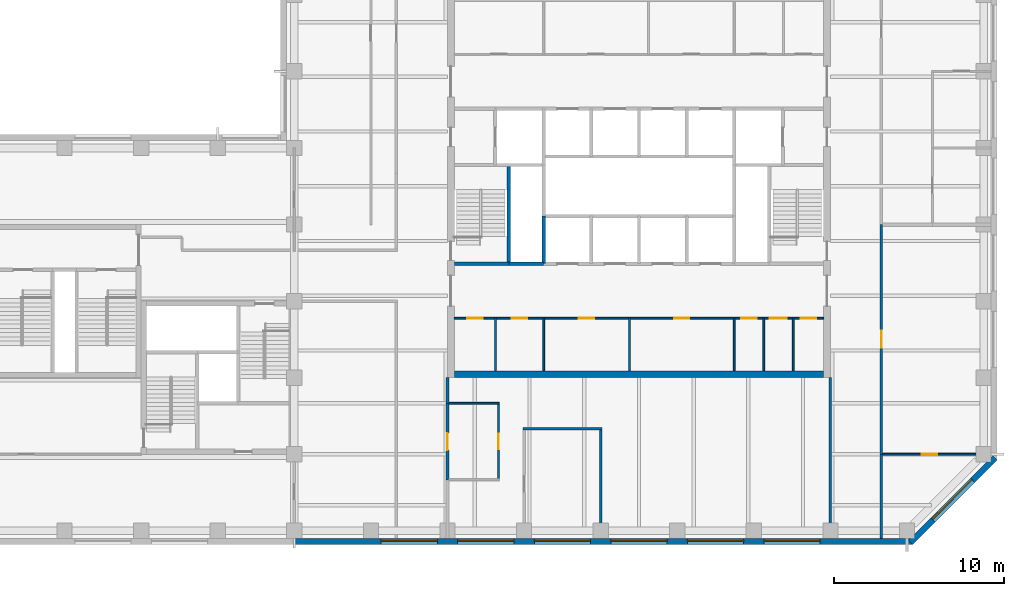
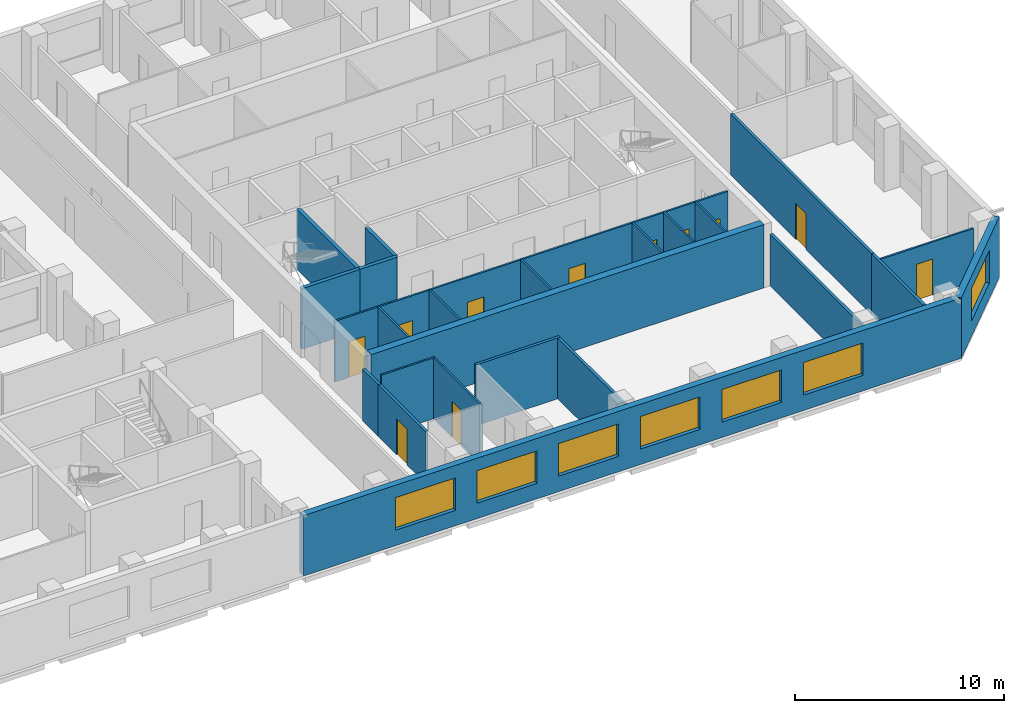
# One storey, part 4 of 9: 24 walls, 11 doors, 7 windows, 18 openings.
"""IFC4 building model written with IfcOpenShell, lengths in metres."""

from ifc_helpers import new_model, si_unit, direction, frame, frame_2d, origin, place, context, subcontext, project, spatial, rectangle, extrude, material, layer, layer_set, constituent, constituent_set, type_object, element, fill, save


model = new_model("IFC4")

# Units and contexts
model_context = context("Model", 3, precision=1e-05, world=origin(), true_north=direction((0.0, 1.0)))
body_context = subcontext(model_context, "Body", "Model", "MODEL_VIEW")
ifc_project = project(units=[si_unit("LENGTHUNIT", "METRE"), si_unit("AREAUNIT", "SQUARE_METRE"), si_unit("VOLUMEUNIT", "CUBIC_METRE"), si_unit("PLANEANGLEUNIT", "RADIAN"), si_unit("MASSUNIT", "GRAM", prefix="KILO")], contexts=[model_context])

# Site, building, storey
site_placement = place(None, origin())
site = spatial("IfcSite", under=ifc_project, at=site_placement, CompositionType="ELEMENT")
building_placement = place(site_placement, origin())
building = spatial("IfcBuilding", under=site, at=building_placement, Name="Quoin Convention Tower", CompositionType="ELEMENT")
storey_placement = place(building_placement, frame((0.0, 0.0, 155.10009765625)))
storey = spatial("IfcBuildingStorey", under=building, at=storey_placement, Name="L40", CompositionType="ELEMENT", Elevation=155.10009765625)

# Walls
ifc_material_1 = material(Name="Plasterboard")
ifc_layer_1 = layer(ifc_material_1, 0.012451171875, Name="Finish")
ifc_material_2 = material(Name="Steel stud framing", Category="steel")
ifc_layer_2 = layer(ifc_material_2, 0.125, Name="Structure")
ifc_layer_3 = layer(ifc_material_1, 0.012451171875, Name="Finish")
ifc_layer_set_1 = layer_set([ifc_layer_1, ifc_layer_2, ifc_layer_3], Name="Steel stud framing")
wall_type_1 = type_object("IfcWallType", Name="Acoustic partition 150", PredefinedType="PARTITIONING", material=ifc_layer_set_1)
wall_1_placement = place(storey_placement, frame((49.425048828125, 46.5, 0.0), z_axis=(0.0, 0.0, 1.0), x_axis=(1.0, 0.0, 0.0)))
element("IfcWall", 1, at=wall_1_placement, inside=storey, type_object=wall_type_1, Name="pw-L40-006", PredefinedType="PARTITIONING", context=body_context, shape_type="SweptSolid", body=[
    extrude(rectangle(XDim=4.64990234375, YDim=0.14990234375, at=frame_2d((2.324951171875, 0.0))), origin(), (0.0, 0.0, 1.0), 3.5498046875),
])
wall_2_placement = place(storey_placement, frame((54.0, 40.050048828125, 0.0), z_axis=(0.0, 0.0, 1.0), x_axis=(0.0, 1.0, 0.0)))
element("IfcWall", 2, at=wall_2_placement, inside=storey, type_object=wall_type_1, Name="pw-L40-033", PredefinedType="PARTITIONING", context=body_context, shape_type="SweptSolid", body=[
    extrude(rectangle(XDim=6.375, YDim=0.14990234375, at=frame_2d((3.1875, 0.0))), origin(), (0.0, 0.0, 1.0), 3.5498046875),
])

# Wall, openings, windows
ifc_material_3 = material(Name="Brick masonry", Category="masonry")
ifc_layer_4 = layer(ifc_material_3, 0.35009765625)
ifc_layer_set_2 = layer_set([ifc_layer_4], Name="Brick masonry")
wall_type_2 = type_object("IfcWallType", Name="Brick facade wall", PredefinedType="STANDARD", material=ifc_layer_set_2)
wall_3_placement = place(storey_placement, frame((36.0, 39.875, 0.0), z_axis=(0.0, 0.0, 1.0), x_axis=(1.0, 0.0, 0.0)))
wall_3 = element("IfcWall", 3, at=wall_3_placement, inside=storey, type_object=wall_type_2, Name="fw-L40-36000_40500", PredefinedType="STANDARD", context=body_context, shape_type="SweptSolid", body=[
    extrude(rectangle(XDim=36.331298828125, YDim=0.35009765625, at=frame_2d((18.16552734375, 0.0))), origin(), (0.0, 0.0, 1.0), 3.52490234375),
])
opening_1_placement = place(wall_3_placement, frame((5.10009765625, 0.0, 0.89990234375)))
opening_1 = element("IfcOpeningElement", 4, at=opening_1_placement, cuts=wall_3, Name="Opening W-02", PredefinedType="OPENING", context=body_context, shape_type="SweptSolid", body=[
    extrude(rectangle(XDim=3.300048828125, YDim=1.89990234375, at=frame_2d((1.64990234375, 0.949951171875))), frame((0.0, 0.18505859375, 0.0), z_axis=(0.0, -1.0, 0.0), x_axis=(1.0, 0.0, 0.0)), (0.0, 0.0, 1.0), 0.3701171875),
])
opening_2_placement = place(wall_3_placement, frame((9.60009765625, 0.0, 0.89990234375)))
opening_2 = element("IfcOpeningElement", 5, at=opening_2_placement, cuts=wall_3, Name="Opening W-02", PredefinedType="OPENING", context=body_context, shape_type="SweptSolid", body=[
    extrude(rectangle(XDim=3.300048828125, YDim=1.89990234375, at=frame_2d((1.64990234375, 0.949951171875))), frame((0.0, 0.18505859375, 0.0), z_axis=(0.0, -1.0, 0.0), x_axis=(1.0, 0.0, 0.0)), (0.0, 0.0, 1.0), 0.3701171875),
])
opening_3_placement = place(wall_3_placement, frame((14.10009765625, 0.0, 0.89990234375)))
opening_3 = element("IfcOpeningElement", 6, at=opening_3_placement, cuts=wall_3, Name="Opening W-02", PredefinedType="OPENING", context=body_context, shape_type="SweptSolid", body=[
    extrude(rectangle(XDim=3.300048828125, YDim=1.89990234375, at=frame_2d((1.64990234375, 0.949951171875))), frame((0.0, 0.18505859375, 0.0), z_axis=(0.0, -1.0, 0.0), x_axis=(1.0, 0.0, 0.0)), (0.0, 0.0, 1.0), 0.3701171875),
])
opening_4_placement = place(wall_3_placement, frame((18.60009765625, 0.0, 0.89990234375)))
opening_4 = element("IfcOpeningElement", 7, at=opening_4_placement, cuts=wall_3, Name="Opening W-02", PredefinedType="OPENING", context=body_context, shape_type="SweptSolid", body=[
    extrude(rectangle(XDim=3.300048828125, YDim=1.89990234375, at=frame_2d((1.64990234375, 0.949951171875))), frame((0.0, 0.18505859375, 0.0), z_axis=(0.0, -1.0, 0.0), x_axis=(1.0, 0.0, 0.0)), (0.0, 0.0, 1.0), 0.3701171875),
])
opening_5_placement = place(wall_3_placement, frame((23.10009765625, 0.0, 0.89990234375)))
opening_5 = element("IfcOpeningElement", 8, at=opening_5_placement, cuts=wall_3, Name="Opening W-02", PredefinedType="OPENING", context=body_context, shape_type="SweptSolid", body=[
    extrude(rectangle(XDim=3.300048828125, YDim=1.89990234375, at=frame_2d((1.64990234375, 0.949951171875))), frame((0.0, 0.18505859375, 0.0), z_axis=(0.0, -1.0, 0.0), x_axis=(1.0, 0.0, 0.0)), (0.0, 0.0, 1.0), 0.3701171875),
])
opening_6_placement = place(wall_3_placement, frame((27.60009765625, 0.0, 0.89990234375)))
opening_6 = element("IfcOpeningElement", 9, at=opening_6_placement, cuts=wall_3, Name="Opening W-02", PredefinedType="OPENING", context=body_context, shape_type="SweptSolid", body=[
    extrude(rectangle(XDim=3.300048828125, YDim=1.89990234375, at=frame_2d((1.64990234375, 0.949951171875))), frame((0.0, 0.18505859375, 0.0), z_axis=(0.0, -1.0, 0.0), x_axis=(1.0, 0.0, 0.0)), (0.0, 0.0, 1.0), 0.3701171875),
])
ifc_material_4 = material(Name="Aluminium", Category="aluminium")
ifc_constituent_1 = constituent(ifc_material_4, Name="Frame")
ifc_material_5 = material(Name="Insulated glass", Category="glass")
ifc_constituent_2 = constituent(ifc_material_5, Name="Glazing")
ifc_constituent_set = constituent_set(constituents=[ifc_constituent_1, ifc_constituent_2], Name="Aluminium")
window_type = type_object("IfcWindowType", Name="Office window", PartitioningType="DOUBLE_PANEL_VERTICAL", PredefinedType="WINDOW", material=ifc_constituent_set)
window_1_placement = place(opening_1_placement, origin())
window_1 = element("IfcWindow", 10, at=window_1_placement, inside=storey, type_object=window_type, Name="win-L40-42750_39875", OverallHeight=1.89990234375, OverallWidth=3.300048828125, PartitioningType="SINGLE_PANEL", PredefinedType="WINDOW", context=body_context, shape_type="SweptSolid", body=[
    extrude(rectangle(XDim=3.300048828125, YDim=1.89990234375, at=frame_2d((1.64990234375, 0.949951171875))), frame((0.0, 0.0849609375, 0.0), z_axis=(0.0, -1.0, 0.0), x_axis=(1.0, 0.0, 0.0)), (0.0, 0.0, 1.0), 0.06005859375),
])
fill(opening_1, window_1)
window_2_placement = place(opening_2_placement, origin())
window_2 = element("IfcWindow", 11, at=window_2_placement, inside=storey, type_object=window_type, Name="win-L40-47250_39875", OverallHeight=1.89990234375, OverallWidth=3.300048828125, PartitioningType="SINGLE_PANEL", PredefinedType="WINDOW", context=body_context, shape_type="SweptSolid", body=[
    extrude(rectangle(XDim=3.300048828125, YDim=1.89990234375, at=frame_2d((1.64990234375, 0.949951171875))), frame((0.0, 0.0849609375, 0.0), z_axis=(0.0, -1.0, 0.0), x_axis=(1.0, 0.0, 0.0)), (0.0, 0.0, 1.0), 0.06005859375),
])
fill(opening_2, window_2)
window_3_placement = place(opening_3_placement, origin())
window_3 = element("IfcWindow", 12, at=window_3_placement, inside=storey, type_object=window_type, Name="win-L40-51750_39875", OverallHeight=1.89990234375, OverallWidth=3.300048828125, PartitioningType="SINGLE_PANEL", PredefinedType="WINDOW", context=body_context, shape_type="SweptSolid", body=[
    extrude(rectangle(XDim=3.300048828125, YDim=1.89990234375, at=frame_2d((1.64990234375, 0.949951171875))), frame((0.0, 0.0849609375, 0.0), z_axis=(0.0, -1.0, 0.0), x_axis=(1.0, 0.0, 0.0)), (0.0, 0.0, 1.0), 0.06005859375),
])
fill(opening_3, window_3)
window_4_placement = place(opening_4_placement, origin())
window_4 = element("IfcWindow", 13, at=window_4_placement, inside=storey, type_object=window_type, Name="win-L40-56250_39875", OverallHeight=1.89990234375, OverallWidth=3.300048828125, PartitioningType="SINGLE_PANEL", PredefinedType="WINDOW", context=body_context, shape_type="SweptSolid", body=[
    extrude(rectangle(XDim=3.300048828125, YDim=1.89990234375, at=frame_2d((1.64990234375, 0.949951171875))), frame((0.0, 0.0849609375, 0.0), z_axis=(0.0, -1.0, 0.0), x_axis=(1.0, 0.0, 0.0)), (0.0, 0.0, 1.0), 0.06005859375),
])
fill(opening_4, window_4)
window_5_placement = place(opening_5_placement, origin())
window_5 = element("IfcWindow", 14, at=window_5_placement, inside=storey, type_object=window_type, Name="win-L40-60750_39875", OverallHeight=1.89990234375, OverallWidth=3.300048828125, PartitioningType="SINGLE_PANEL", PredefinedType="WINDOW", context=body_context, shape_type="SweptSolid", body=[
    extrude(rectangle(XDim=3.300048828125, YDim=1.89990234375, at=frame_2d((1.64990234375, 0.949951171875))), frame((0.0, 0.0849609375, 0.0), z_axis=(0.0, -1.0, 0.0), x_axis=(1.0, 0.0, 0.0)), (0.0, 0.0, 1.0), 0.06005859375),
])
fill(opening_5, window_5)
window_6_placement = place(opening_6_placement, origin())
window_6 = element("IfcWindow", 15, at=window_6_placement, inside=storey, type_object=window_type, Name="win-L40-65250_39875", OverallHeight=1.89990234375, OverallWidth=3.300048828125, PartitioningType="SINGLE_PANEL", PredefinedType="WINDOW", context=body_context, shape_type="SweptSolid", body=[
    extrude(rectangle(XDim=3.300048828125, YDim=1.89990234375, at=frame_2d((1.64990234375, 0.949951171875))), frame((0.0, 0.0849609375, 0.0), z_axis=(0.0, -1.0, 0.0), x_axis=(1.0, 0.0, 0.0)), (0.0, 0.0, 1.0), 0.06005859375),
])
fill(opening_6, window_6)

# Wall, opening, window
wall_4_placement = place(storey_placement, frame((72.20751953125, 39.82373046875, 0.0), z_axis=(0.0, 0.0, 1.0), x_axis=(0.707106781187, 0.707106781187, 0.0)))
wall_4 = element("IfcWall", 16, at=wall_4_placement, inside=storey, type_object=wall_type_2, Name="fw-L40-72000_40500", PredefinedType="STANDARD", context=body_context, shape_type="SweptSolid", body=[
    extrude(rectangle(XDim=7.02685546875, YDim=0.35009765625, at=frame_2d((3.513427734375, 0.0))), origin(), (0.0, 0.0, 1.0), 3.52490234375),
])
opening_7_placement = place(wall_4_placement, frame((1.86328125, 0.0, 0.89990234375)))
opening_7 = element("IfcOpeningElement", 17, at=opening_7_placement, cuts=wall_4, Name="Opening W-02", PredefinedType="OPENING", context=body_context, shape_type="SweptSolid", body=[
    extrude(rectangle(XDim=3.300048828125, YDim=1.89990234375, at=frame_2d((1.64990234375, 0.949951171875))), frame((0.0, 0.18505859375, 0.0), z_axis=(0.0, -1.0, 0.0), x_axis=(1.0, 0.0, 0.0)), (0.0, 0.0, 1.0), 0.3701171875),
])
window_7_placement = place(opening_7_placement, origin())
window_7 = element("IfcWindow", 18, at=window_7_placement, inside=storey, type_object=window_type, Name="win-L40-74692_42308", OverallHeight=1.89990234375, OverallWidth=3.300048828125, PartitioningType="SINGLE_PANEL", PredefinedType="WINDOW", context=body_context, shape_type="SweptSolid", body=[
    extrude(rectangle(XDim=3.300048828125, YDim=1.89990234375, at=frame_2d((1.64990234375, 0.949951171875))), frame((0.0, 0.0849609375, 0.0), z_axis=(0.0, -1.0, 0.0), x_axis=(1.0, 0.0, 0.0)), (0.0, 0.0, 1.0), 0.06005859375),
])
fill(opening_7, window_7)

# Wall, openings, doors
ifc_layer_5 = layer(ifc_material_1, 0.012451171875, Name="Finish")
ifc_layer_6 = layer(ifc_material_2, 0.074951171875, Name="Structure")
ifc_layer_7 = layer(ifc_material_1, 0.012451171875, Name="Finish")
ifc_layer_set_3 = layer_set([ifc_layer_5, ifc_layer_6, ifc_layer_7], Name="Steel stud framing")
wall_type_3 = type_object("IfcWallType", Name="Core partition wall", PredefinedType="PARTITIONING", material=ifc_layer_set_3)
wall_5_placement = place(storey_placement, frame((45.39990234375, 53.0, 0.0), z_axis=(0.0, 0.0, 1.0), x_axis=(1.0, 0.0, 0.0)))
wall_5 = element("IfcWall", 19, at=wall_5_placement, inside=storey, type_object=wall_type_3, Name="cr-C1-L40-h3500_400", PredefinedType="PARTITIONING", context=body_context, shape_type="SweptSolid", body=[
    extrude(rectangle(XDim=21.7001953125, YDim=0.10009765625, at=frame_2d((10.85009765625, 0.0))), origin(), (0.0, 0.0, 1.0), 3.5498046875),
])
opening_8_placement = place(wall_5_placement, frame((20.357421875, 0.0, 0.0)))
opening_8 = element("IfcOpeningElement", 20, at=opening_8_placement, cuts=wall_5, Name="Opening DCV2-32", PredefinedType="OPENING", context=body_context, shape_type="SweptSolid", body=[
    extrude(rectangle(XDim=0.89990234375, YDim=2.10009765625, at=frame_2d((0.449951171875, 1.050048828125))), frame((0.0, 0.06005859375, 0.0), z_axis=(0.0, -1.0, 0.0), x_axis=(1.0, 0.0, 0.0)), (0.0, 0.0, 1.0), 0.1201171875),
])
opening_9_placement = place(wall_5_placement, frame((18.548828125, 0.0, 0.0)))
opening_9 = element("IfcOpeningElement", 21, at=opening_9_placement, cuts=wall_5, Name="Opening DCV2-31", PredefinedType="OPENING", context=body_context, shape_type="SweptSolid", body=[
    extrude(rectangle(XDim=1.0, YDim=2.10009765625, at=frame_2d((0.5, 1.050048828125))), frame((0.0, 0.06005859375, 0.0), z_axis=(0.0, -1.0, 0.0), x_axis=(1.0, 0.0, 0.0)), (0.0, 0.0, 1.0), 0.1201171875),
])
opening_10_placement = place(wall_5_placement, frame((16.8662109375, 0.0, 0.0)))
opening_10 = element("IfcOpeningElement", 22, at=opening_10_placement, cuts=wall_5, Name="Opening DCV2-30", PredefinedType="OPENING", context=body_context, shape_type="SweptSolid", body=[
    extrude(rectangle(XDim=0.89990234375, YDim=2.10009765625, at=frame_2d((0.449951171875, 1.050048828125))), frame((0.0, 0.06005859375, 0.0), z_axis=(0.0, -1.0, 0.0), x_axis=(1.0, 0.0, 0.0)), (0.0, 0.0, 1.0), 0.1201171875),
])
opening_11_placement = place(wall_5_placement, frame((0.757568359375, 0.0, 0.0)))
opening_11 = element("IfcOpeningElement", 23, at=opening_11_placement, cuts=wall_5, Name="Opening DCV2-22", PredefinedType="OPENING", context=body_context, shape_type="SweptSolid", body=[
    extrude(rectangle(XDim=0.89990234375, YDim=2.10009765625, at=frame_2d((0.449951171875, 1.050048828125))), frame((0.0, 0.06005859375, 0.0), z_axis=(0.0, -1.0, 0.0), x_axis=(1.0, 0.0, 0.0)), (0.0, 0.0, 1.0), 0.1201171875),
])
opening_12_placement = place(wall_5_placement, frame((3.382568359375, 0.0, 0.0)))
opening_12 = element("IfcOpeningElement", 24, at=opening_12_placement, cuts=wall_5, Name="Opening DCV2-23", PredefinedType="OPENING", context=body_context, shape_type="SweptSolid", body=[
    extrude(rectangle(XDim=0.89990234375, YDim=2.10009765625, at=frame_2d((0.449951171875, 1.050048828125))), frame((0.0, 0.06005859375, 0.0), z_axis=(0.0, -1.0, 0.0), x_axis=(1.0, 0.0, 0.0)), (0.0, 0.0, 1.0), 0.1201171875),
])
opening_13_placement = place(wall_5_placement, frame((7.320068359375, 0.0, 0.0)))
opening_13 = element("IfcOpeningElement", 25, at=opening_13_placement, cuts=wall_5, Name="Opening DCV2-25", PredefinedType="OPENING", context=body_context, shape_type="SweptSolid", body=[
    extrude(rectangle(XDim=0.89990234375, YDim=2.10009765625, at=frame_2d((0.449951171875, 1.050048828125))), frame((0.0, 0.06005859375, 0.0), z_axis=(0.0, -1.0, 0.0), x_axis=(1.0, 0.0, 0.0)), (0.0, 0.0, 1.0), 0.1201171875),
])
opening_14_placement = place(wall_5_placement, frame((12.919921875, 0.0, 0.0)))
opening_14 = element("IfcOpeningElement", 26, at=opening_14_placement, cuts=wall_5, Name="Opening DCV2-28", PredefinedType="OPENING", context=body_context, shape_type="SweptSolid", body=[
    extrude(rectangle(XDim=0.89990234375, YDim=2.10009765625, at=frame_2d((0.449951171875, 1.050048828125))), frame((0.0, 0.06005859375, 0.0), z_axis=(0.0, -1.0, 0.0), x_axis=(1.0, 0.0, 0.0)), (0.0, 0.0, 1.0), 0.1201171875),
])
ifc_material_6 = material(Name="Steel door leaf", Category="steel")
door_type_1 = type_object("IfcDoorType", Name="Core room door 1000 x 2100", OperationType="SINGLE_SWING_LEFT", PredefinedType="DOOR", material=ifc_material_6)
door_1_placement = place(opening_9_placement, frame((1.0, 0.0, 0.0), z_axis=(0.0, 0.0, 1.0), x_axis=(-1.0, 0.0, 0.0)))
door_1 = element("IfcDoor", 27, at=door_1_placement, inside=storey, type_object=door_type_1, Name="cd-C1-L40-CSE1-lobA-CD4011", OperationType="SINGLE_SWING_LEFT", OverallHeight=2.10009765625, OverallWidth=1.0, PredefinedType="DOOR", context=body_context, shape_type="SweptSolid", body=[
    extrude(rectangle(XDim=1.0, YDim=2.10009765625, at=frame_2d((0.5, 1.050048828125))), frame((0.0, 0.02490234375, 0.0), z_axis=(0.0, -1.0, 0.0), x_axis=(1.0, 0.0, 0.0)), (0.0, 0.0, 1.0), 0.050048828125),
])
fill(opening_9, door_1)
door_type_2 = type_object("IfcDoorType", Name="Core room door 900 x 2100", OperationType="SINGLE_SWING_LEFT", PredefinedType="DOOR", material=ifc_material_6)
door_2_placement = place(opening_8_placement, frame((0.89990234375, 0.0, 0.0), z_axis=(0.0, 0.0, 1.0), x_axis=(-1.0, 0.0, 0.0)))
door_2 = element("IfcDoor", 28, at=door_2_placement, inside=storey, type_object=door_type_2, Name="cd-C1-L40-CSE0-lobA-CD4010", OperationType="SINGLE_SWING_LEFT", OverallHeight=2.10009765625, OverallWidth=0.89990234375, PredefinedType="DOOR", context=body_context, shape_type="SweptSolid", body=[
    extrude(rectangle(XDim=0.89990234375, YDim=2.10009765625, at=frame_2d((0.449951171875, 1.050048828125))), frame((0.0, 0.02490234375, 0.0), z_axis=(0.0, -1.0, 0.0), x_axis=(1.0, 0.0, 0.0)), (0.0, 0.0, 1.0), 0.050048828125),
])
fill(opening_8, door_2)
door_3_placement = place(opening_10_placement, frame((0.89990234375, 0.0, 0.0), z_axis=(0.0, 0.0, 1.0), x_axis=(-1.0, 0.0, 0.0)))
door_3 = element("IfcDoor", 29, at=door_3_placement, inside=storey, type_object=door_type_2, Name="cd-C1-L40-CSE2-lobA-CD4012", OperationType="SINGLE_SWING_LEFT", OverallHeight=2.10009765625, OverallWidth=0.89990234375, PredefinedType="DOOR", context=body_context, shape_type="SweptSolid", body=[
    extrude(rectangle(XDim=0.89990234375, YDim=2.10009765625, at=frame_2d((0.449951171875, 1.050048828125))), frame((0.0, 0.02490234375, 0.0), z_axis=(0.0, -1.0, 0.0), x_axis=(1.0, 0.0, 0.0)), (0.0, 0.0, 1.0), 0.050048828125),
])
fill(opening_10, door_3)
door_4_placement = place(opening_11_placement, frame((0.89990234375, 0.0, 0.0), z_axis=(0.0, 0.0, 1.0), x_axis=(-1.0, 0.0, 0.0)))
door_4 = element("IfcDoor", 30, at=door_4_placement, inside=storey, type_object=door_type_2, Name="cd-C1-L40-CSW0-lobA-CD4013", OperationType="SINGLE_SWING_LEFT", OverallHeight=2.10009765625, OverallWidth=0.89990234375, PredefinedType="DOOR", context=body_context, shape_type="SweptSolid", body=[
    extrude(rectangle(XDim=0.89990234375, YDim=2.10009765625, at=frame_2d((0.449951171875, 1.050048828125))), frame((0.0, 0.02490234375, 0.0), z_axis=(0.0, -1.0, 0.0), x_axis=(1.0, 0.0, 0.0)), (0.0, 0.0, 1.0), 0.050048828125),
])
fill(opening_11, door_4)
door_5_placement = place(opening_12_placement, frame((0.89990234375, 0.0, 0.0), z_axis=(0.0, 0.0, 1.0), x_axis=(-1.0, 0.0, 0.0)))
door_5 = element("IfcDoor", 31, at=door_5_placement, inside=storey, type_object=door_type_2, Name="cd-C1-L40-CSW1-lobA-CD4014", OperationType="SINGLE_SWING_LEFT", OverallHeight=2.10009765625, OverallWidth=0.89990234375, PredefinedType="DOOR", context=body_context, shape_type="SweptSolid", body=[
    extrude(rectangle(XDim=0.89990234375, YDim=2.10009765625, at=frame_2d((0.449951171875, 1.050048828125))), frame((0.0, 0.02490234375, 0.0), z_axis=(0.0, -1.0, 0.0), x_axis=(1.0, 0.0, 0.0)), (0.0, 0.0, 1.0), 0.050048828125),
])
fill(opening_12, door_5)
door_6_placement = place(opening_13_placement, frame((0.89990234375, 0.0, 0.0), z_axis=(0.0, 0.0, 1.0), x_axis=(-1.0, 0.0, 0.0)))
door_6 = element("IfcDoor", 32, at=door_6_placement, inside=storey, type_object=door_type_2, Name="cd-C1-L40-F10-lobA-CD4015", OperationType="SINGLE_SWING_LEFT", OverallHeight=2.10009765625, OverallWidth=0.89990234375, PredefinedType="DOOR", context=body_context, shape_type="SweptSolid", body=[
    extrude(rectangle(XDim=0.89990234375, YDim=2.10009765625, at=frame_2d((0.449951171875, 1.050048828125))), frame((0.0, 0.02490234375, 0.0), z_axis=(0.0, -1.0, 0.0), x_axis=(1.0, 0.0, 0.0)), (0.0, 0.0, 1.0), 0.050048828125),
])
fill(opening_13, door_6)
door_7_placement = place(opening_14_placement, frame((0.89990234375, 0.0, 0.0), z_axis=(0.0, 0.0, 1.0), x_axis=(-1.0, 0.0, 0.0)))
door_7 = element("IfcDoor", 33, at=door_7_placement, inside=storey, type_object=door_type_2, Name="cd-C1-L40-F11-lobA-CD4016", OperationType="SINGLE_SWING_LEFT", OverallHeight=2.10009765625, OverallWidth=0.89990234375, PredefinedType="DOOR", context=body_context, shape_type="SweptSolid", body=[
    extrude(rectangle(XDim=0.89990234375, YDim=2.10009765625, at=frame_2d((0.449951171875, 1.050048828125))), frame((0.0, 0.02490234375, 0.0), z_axis=(0.0, -1.0, 0.0), x_axis=(1.0, 0.0, 0.0)), (0.0, 0.0, 1.0), 0.050048828125),
])
fill(opening_14, door_7)

# Walls
for number, where, z_axis, x_axis, name in (
    (34, (47.81494140625, 49.89990234375, 0.0), (0.0, 0.0, 1.0), (0.0, 1.0, 0.0), "cr-C1-L40-v2815_400"),
    (35, (50.64990234375, 49.89990234375, 0.0), (0.0, 0.0, 1.0), (0.0, 1.0, 0.0), "cr-C1-L40-v5650_400"),
    (36, (55.68994140625, 49.89990234375, 0.0), (0.0, 0.0, 1.0), (0.0, 1.0, 0.0), "cr-C1-L40-v10690_400"),
    (37, (61.85009765625, 49.89990234375, 0.0), (0.0, 0.0, 1.0), (0.0, 1.0, 0.0), "cr-C1-L40-v16850_400"),
    (38, (63.58251953125, 49.89990234375, 0.0), (0.0, 0.0, 1.0), (0.0, 1.0, 0.0), "cr-C1-L40-v18582_400"),
    (39, (65.31494140625, 49.89990234375, 0.0), (0.0, 0.0, 1.0), (0.0, 1.0, 0.0), "cr-C1-L40-v20315_400"),
):
    element("IfcWall", number, at=place(storey_placement, frame(where, z_axis=z_axis, x_axis=x_axis)), inside=storey, type_object=wall_type_3, Name=name, PredefinedType="PARTITIONING", context=body_context, shape_type="SweptSolid", body=[
        extrude(rectangle(XDim=3.10009765625, YDim=0.10009765625, at=frame_2d((1.550048828125, 0.0))), origin(), (0.0, 0.0, 1.0), 3.5498046875),
    ])
ifc_material_7 = material(Name="Concrete C50", Category="concrete")
ifc_layer_8 = layer(ifc_material_7, 0.199951171875)
ifc_layer_set_4 = layer_set([ifc_layer_8], Name="Concrete C50")
wall_type_4 = type_object("IfcWallType", Name="Core shaft wall", PredefinedType="SOLIDWALL", material=ifc_layer_set_4)
wall_6_placement = place(storey_placement, frame((48.60009765625, 56.199951171875, 0.0), z_axis=(0.0, 0.0, 1.0), x_axis=(1.0, 0.0, 0.0)))
element("IfcWall", 40, at=wall_6_placement, inside=storey, type_object=wall_type_4, Name="cr-C1-L40-h6700_3600", PredefinedType="SOLIDWALL", context=body_context, shape_type="SweptSolid", body=[
    extrude(rectangle(XDim=2.0498046875, YDim=0.199951171875, at=frame_2d((1.02490234375, 0.0))), origin(), (0.0, 0.0, 1.0), 3.5498046875),
])
wall_7_placement = place(storey_placement, frame((45.39990234375, 56.199951171875, 0.0), z_axis=(0.0, 0.0, 1.0), x_axis=(1.0, 0.0, 0.0)))
element("IfcWall", 41, at=wall_7_placement, inside=storey, type_object=wall_type_4, Name="cr-C1-L40-h6700_400", PredefinedType="SOLIDWALL", context=body_context, shape_type="SweptSolid", body=[
    extrude(rectangle(XDim=3.2001953125, YDim=0.199951171875, at=frame_2d((1.60009765625, 0.0))), origin(), (0.0, 0.0, 1.0), 3.5498046875),
])
wall_8_placement = place(storey_placement, frame((48.60009765625, 56.199951171875, 0.0), z_axis=(0.0, 0.0, 1.0), x_axis=(0.0, 1.0, 0.0)))
element("IfcWall", 42, at=wall_8_placement, inside=storey, type_object=wall_type_4, Name="cr-C1-L40-v3600_6700", PredefinedType="SOLIDWALL", context=body_context, shape_type="SweptSolid", body=[
    extrude(rectangle(XDim=5.800048828125, YDim=0.199951171875, at=frame_2d((2.89990234375, 0.0))), origin(), (0.0, 0.0, 1.0), 3.5498046875),
])
wall_9_placement = place(storey_placement, frame((50.64990234375, 56.199951171875, 0.0), z_axis=(0.0, 0.0, 1.0), x_axis=(0.0, 1.0, 0.0)))
element("IfcWall", 43, at=wall_9_placement, inside=storey, type_object=wall_type_4, Name="cr-C1-L40-v5650_6700", PredefinedType="SOLIDWALL", context=body_context, shape_type="SweptSolid", body=[
    extrude(rectangle(XDim=2.800048828125, YDim=0.199951171875, at=frame_2d((1.39990234375, 0.0))), origin(), (0.0, 0.0, 1.0), 3.5498046875),
])
ifc_layer_9 = layer(ifc_material_1, 0.012451171875, Name="Finish")
ifc_layer_10 = layer(ifc_material_2, 0.125, Name="Structure")
ifc_layer_11 = layer(ifc_material_1, 0.012451171875, Name="Finish")
ifc_layer_set_5 = layer_set([ifc_layer_9, ifc_layer_10, ifc_layer_11], Name="Steel stud framing")
wall_type_5 = type_object("IfcWallType", Name="Corridor wall 150", PredefinedType="PARTITIONING", material=ifc_layer_set_5)
wall_10_placement = place(storey_placement, frame((70.5, 40.050048828125, 0.0), z_axis=(0.0, 0.0, 1.0), x_axis=(0.0, 1.0, 0.0)))
element("IfcWall", 44, at=wall_10_placement, inside=storey, type_object=wall_type_5, Name="pw-L40-035", PredefinedType="PARTITIONING", context=body_context, shape_type="SweptSolid", body=[
    extrude(rectangle(XDim=4.949951171875, YDim=0.14990234375, at=frame_2d((2.47509765625, 0.0))), origin(), (0.0, 0.0, 1.0), 3.5498046875),
])

# Wall, opening, door
wall_11_placement = place(storey_placement, frame((70.5, 45.0, 0.0), z_axis=(0.0, 0.0, 1.0), x_axis=(0.0, 1.0, 0.0)))
wall_11 = element("IfcWall", 45, at=wall_11_placement, inside=storey, type_object=wall_type_5, Name="pw-L40-040", PredefinedType="PARTITIONING", context=body_context, shape_type="SweptSolid", body=[
    extrude(rectangle(XDim=13.5, YDim=0.14990234375, at=frame_2d((6.75, 0.0))), origin(), (0.0, 0.0, 1.0), 3.5498046875),
])
opening_15_placement = place(wall_11_placement, frame((6.25, 0.0, 0.0)))
opening_15 = element("IfcOpeningElement", 46, at=opening_15_placement, cuts=wall_11, Name="Opening DOH2-10", PredefinedType="OPENING", context=body_context, shape_type="SweptSolid", body=[
    extrude(rectangle(XDim=1.0, YDim=2.10009765625, at=frame_2d((0.5, 1.050048828125))), frame((0.0, 0.0849609375, 0.0), z_axis=(0.0, -1.0, 0.0), x_axis=(1.0, 0.0, 0.0)), (0.0, 0.0, 1.0), 0.169921875),
])
door_type_3 = type_object("IfcDoorType", Name="Tenancy entrance door 1000 x 2100", OperationType="DOUBLE_DOOR_SINGLE_SWING", PredefinedType="DOOR", material=ifc_material_6)
door_8_placement = place(opening_15_placement, frame((1.0, 0.0, 0.0), z_axis=(0.0, 0.0, 1.0), x_axis=(-1.0, 0.0, 0.0)))
door_8 = element("IfcDoor", 47, at=door_8_placement, inside=storey, type_object=door_type_3, Name="dr-L40-24", OperationType="DOUBLE_DOOR_SINGLE_SWING", OverallHeight=2.10009765625, OverallWidth=1.0, PredefinedType="DOOR", context=body_context, shape_type="SweptSolid", body=[
    extrude(rectangle(XDim=1.0, YDim=2.10009765625, at=frame_2d((0.5, 1.050048828125))), frame((0.0, 0.02490234375, 0.0), z_axis=(0.0, -1.0, 0.0), x_axis=(1.0, 0.0, 0.0)), (0.0, 0.0, 1.0), 0.050048828125),
])
fill(opening_15, door_8)

# Wall
ifc_layer_12 = layer(ifc_material_1, 0.012451171875, Name="Finish")
ifc_layer_13 = layer(ifc_material_2, 0.125, Name="Structure")
ifc_layer_14 = layer(ifc_material_1, 0.012451171875, Name="Finish")
ifc_layer_set_6 = layer_set([ifc_layer_12, ifc_layer_13, ifc_layer_14], Name="Steel stud framing")
wall_type_6 = type_object("IfcWallType", Name="Corridor wall 150 under beam 528", PredefinedType="PARTITIONING", material=ifc_layer_set_6)
wall_12_placement = place(storey_placement, frame((67.5, 40.050048828125, 0.0), z_axis=(0.0, 0.0, 1.0), x_axis=(0.0, 1.0, 0.0)))
element("IfcWall", 48, at=wall_12_placement, inside=storey, type_object=wall_type_6, Name="pw-L40-034", PredefinedType="PARTITIONING", context=body_context, shape_type="SweptSolid", body=[
    extrude(rectangle(XDim=9.449951171875, YDim=0.14990234375, at=frame_2d((4.72509765625, 0.0))), origin(), (0.0, 0.0, 1.0), 3.02197265625),
])

# Wall, opening, door
wall_13_placement = place(storey_placement, frame((45.0, 43.5, 0.0), z_axis=(0.0, 0.0, 1.0), x_axis=(0.0, 1.0, 0.0)))
wall_13 = element("IfcWall", 49, at=wall_13_placement, inside=storey, type_object=wall_type_6, Name="pw-L40-037", PredefinedType="PARTITIONING", context=body_context, shape_type="SweptSolid", body=[
    extrude(rectangle(XDim=4.5, YDim=0.14990234375, at=frame_2d((2.25, 0.0))), origin(), (0.0, 0.0, 1.0), 3.02197265625),
])
opening_16_placement = place(wall_13_placement, frame((1.75, 0.0, 0.0)))
opening_16 = element("IfcOpeningElement", 50, at=opening_16_placement, cuts=wall_13, Name="Opening DOH2-08", PredefinedType="OPENING", context=body_context, shape_type="SweptSolid", body=[
    extrude(rectangle(XDim=1.0, YDim=2.10009765625, at=frame_2d((0.5, 1.050048828125))), frame((0.0, 0.0849609375, 0.0), z_axis=(0.0, -1.0, 0.0), x_axis=(1.0, 0.0, 0.0)), (0.0, 0.0, 1.0), 0.169921875),
])
door_9_placement = place(opening_16_placement, origin())
door_9 = element("IfcDoor", 51, at=door_9_placement, inside=storey, type_object=door_type_3, Name="dr-L40-13", OperationType="DOUBLE_DOOR_SINGLE_SWING", OverallHeight=2.10009765625, OverallWidth=1.0, PredefinedType="DOOR", context=body_context, shape_type="SweptSolid", body=[
    extrude(rectangle(XDim=1.0, YDim=2.10009765625, at=frame_2d((0.5, 1.050048828125))), frame((0.0, 0.02490234375, 0.0), z_axis=(0.0, -1.0, 0.0), x_axis=(1.0, 0.0, 0.0)), (0.0, 0.0, 1.0), 0.050048828125),
])
fill(opening_16, door_9)

# Walls
wall_14_placement = place(storey_placement, frame((45.0, 48.0, 0.0), z_axis=(0.0, 0.0, 1.0), x_axis=(0.0, 1.0, 0.0)))
element("IfcWall", 52, at=wall_14_placement, inside=storey, type_object=wall_type_6, Name="pw-L40-044", PredefinedType="PARTITIONING", context=body_context, shape_type="SweptSolid", body=[
    extrude(rectangle(XDim=1.5, YDim=0.14990234375, at=frame_2d((0.75, 0.0))), origin(), (0.0, 0.0, 1.0), 3.02197265625),
])
ifc_layer_15 = layer(ifc_material_7, 0.39990234375)
ifc_layer_set_7 = layer_set([ifc_layer_15], Name="Concrete C50")
wall_type_7 = type_object("IfcWallType", Name="RC CORE WALL 400 C50", PredefinedType="SHEAR", material=ifc_layer_set_7)
wall_15_placement = place(storey_placement, frame((45.39990234375, 49.699951171875, 0.0), z_axis=(0.0, 0.0, 1.0), x_axis=(1.0, 0.0, 0.0)))
element("IfcWall", 53, at=wall_15_placement, inside=storey, type_object=wall_type_7, Name="cwl-C1-L40-S", PredefinedType="SHEAR", context=body_context, shape_type="SweptSolid", body=[
    extrude(rectangle(XDim=21.7001953125, YDim=0.39990234375, at=frame_2d((10.85009765625, 0.0))), origin(), (0.0, 0.0, 1.0), 3.699951171875),
])
ifc_layer_16 = layer(ifc_material_1, 0.012451171875, Name="Finish")
ifc_layer_17 = layer(ifc_material_2, 0.074951171875, Name="Structure")
ifc_layer_18 = layer(ifc_material_1, 0.012451171875, Name="Finish")
ifc_layer_set_8 = layer_set([ifc_layer_16, ifc_layer_17, ifc_layer_18], Name="Steel stud framing")
wall_type_8 = type_object("IfcWallType", Name="Stud partition 100", PredefinedType="PARTITIONING", material=ifc_layer_set_8)
wall_16_placement = place(storey_placement, frame((45.074951171875, 48.0, 0.0), z_axis=(0.0, 0.0, 1.0), x_axis=(1.0, 0.0, 0.0)))
element("IfcWall", 54, at=wall_16_placement, inside=storey, type_object=wall_type_8, Name="pw-L40-007", PredefinedType="PARTITIONING", context=body_context, shape_type="SweptSolid", body=[
    extrude(rectangle(XDim=2.97509765625, YDim=0.10009765625, at=frame_2d((1.487548828125, 0.0))), origin(), (0.0, 0.0, 1.0), 3.5498046875),
])

# Wall, opening, door
wall_17_placement = place(storey_placement, frame((48.0, 43.550048828125, 0.0), z_axis=(0.0, 0.0, 1.0), x_axis=(0.0, 1.0, 0.0)))
wall_17 = element("IfcWall", 55, at=wall_17_placement, inside=storey, type_object=wall_type_8, Name="pw-L40-038", PredefinedType="PARTITIONING", context=body_context, shape_type="SweptSolid", body=[
    extrude(rectangle(XDim=4.39990234375, YDim=0.10009765625, at=frame_2d((2.199951171875, 0.0))), origin(), (0.0, 0.0, 1.0), 3.5498046875),
])
opening_17_placement = place(wall_17_placement, frame((1.75, 0.0, 0.0)))
opening_17 = element("IfcOpeningElement", 56, at=opening_17_placement, cuts=wall_17, Name="Opening DOH2-09", PredefinedType="OPENING", context=body_context, shape_type="SweptSolid", body=[
    extrude(rectangle(XDim=0.89990234375, YDim=2.10009765625, at=frame_2d((0.449951171875, 1.050048828125))), frame((0.0, 0.06005859375, 0.0), z_axis=(0.0, -1.0, 0.0), x_axis=(1.0, 0.0, 0.0)), (0.0, 0.0, 1.0), 0.1201171875),
])
door_type_4 = type_object("IfcDoorType", Name="Office door 900 x 2100", OperationType="SINGLE_SWING_RIGHT", PredefinedType="DOOR", material=ifc_material_6)
door_10_placement = place(opening_17_placement, frame((0.89990234375, 0.0, 0.0), z_axis=(0.0, 0.0, 1.0), x_axis=(-1.0, 0.0, 0.0)))
door_10 = element("IfcDoor", 57, at=door_10_placement, inside=storey, type_object=door_type_4, Name="dr-L40-14", OperationType="SINGLE_SWING_LEFT", OverallHeight=2.10009765625, OverallWidth=0.89990234375, PredefinedType="DOOR", context=body_context, shape_type="SweptSolid", body=[
    extrude(rectangle(XDim=0.89990234375, YDim=2.10009765625, at=frame_2d((0.449951171875, 1.050048828125))), frame((0.0, 0.02490234375, 0.0), z_axis=(0.0, -1.0, 0.0), x_axis=(1.0, 0.0, 0.0)), (0.0, 0.0, 1.0), 0.050048828125),
])
fill(opening_17, door_10)

ifc_layer_19 = layer(ifc_material_1, 0.012451171875, Name="Finish")
ifc_layer_20 = layer(ifc_material_2, 0.074951171875, Name="Structure")
ifc_layer_21 = layer(ifc_material_1, 0.012451171875, Name="Finish")
ifc_layer_set_9 = layer_set([ifc_layer_19, ifc_layer_20, ifc_layer_21], Name="Steel stud framing")
wall_type_9 = type_object("IfcWallType", Name="Stud partition 100 under beam 454", PredefinedType="PARTITIONING", material=ifc_layer_set_9)
wall_18_placement = place(storey_placement, frame((70.574951171875, 45.0, 0.0), z_axis=(0.0, 0.0, 1.0), x_axis=(1.0, 0.0, 0.0)))
wall_18 = element("IfcWall", 58, at=wall_18_placement, inside=storey, type_object=wall_type_9, Name="pw-L40-004", PredefinedType="PARTITIONING", context=body_context, shape_type="SweptSolid", body=[
    extrude(rectangle(XDim=5.47509765625, YDim=0.10009765625, at=frame_2d((2.737548828125, 0.0))), origin(), (0.0, 0.0, 1.0), 3.095947265625),
])
opening_18_placement = place(wall_18_placement, frame((2.300048828125, 0.0, 0.0)))
opening_18 = element("IfcOpeningElement", 59, at=opening_18_placement, cuts=wall_18, Name="Opening DOH2-01", PredefinedType="OPENING", context=body_context, shape_type="SweptSolid", body=[
    extrude(rectangle(XDim=0.89990234375, YDim=2.10009765625, at=frame_2d((0.449951171875, 1.050048828125))), frame((0.0, 0.06005859375, 0.0), z_axis=(0.0, -1.0, 0.0), x_axis=(1.0, 0.0, 0.0)), (0.0, 0.0, 1.0), 0.1201171875),
])
door_11_placement = place(opening_18_placement, origin())
door_11 = element("IfcDoor", 60, at=door_11_placement, inside=storey, type_object=door_type_4, Name="dr-L40-25", OperationType="SINGLE_SWING_RIGHT", OverallHeight=2.10009765625, OverallWidth=0.89990234375, PredefinedType="DOOR", context=body_context, shape_type="SweptSolid", body=[
    extrude(rectangle(XDim=0.89990234375, YDim=2.10009765625, at=frame_2d((0.449951171875, 1.050048828125))), frame((0.0, 0.02490234375, 0.0), z_axis=(0.0, -1.0, 0.0), x_axis=(1.0, 0.0, 0.0)), (0.0, 0.0, 1.0), 0.050048828125),
])
fill(opening_18, door_11)

save(model, "model.ifc")
